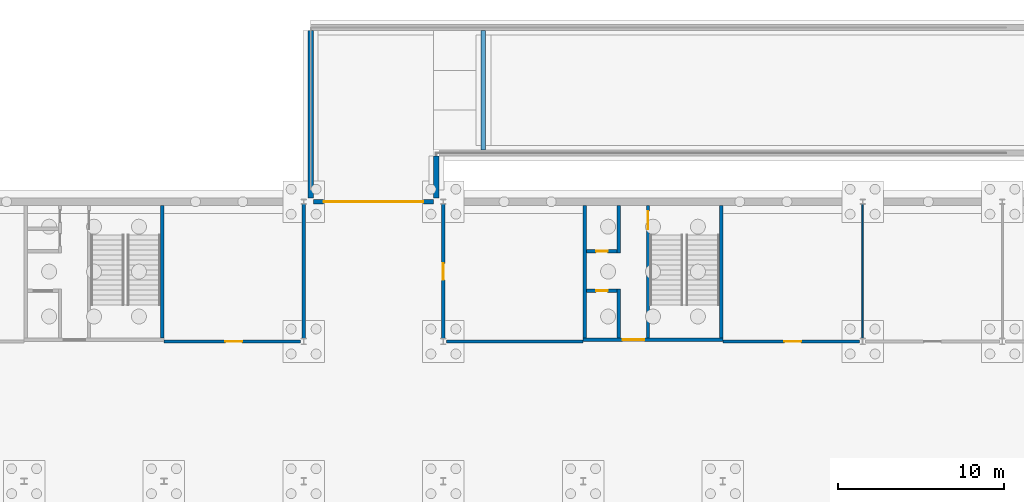
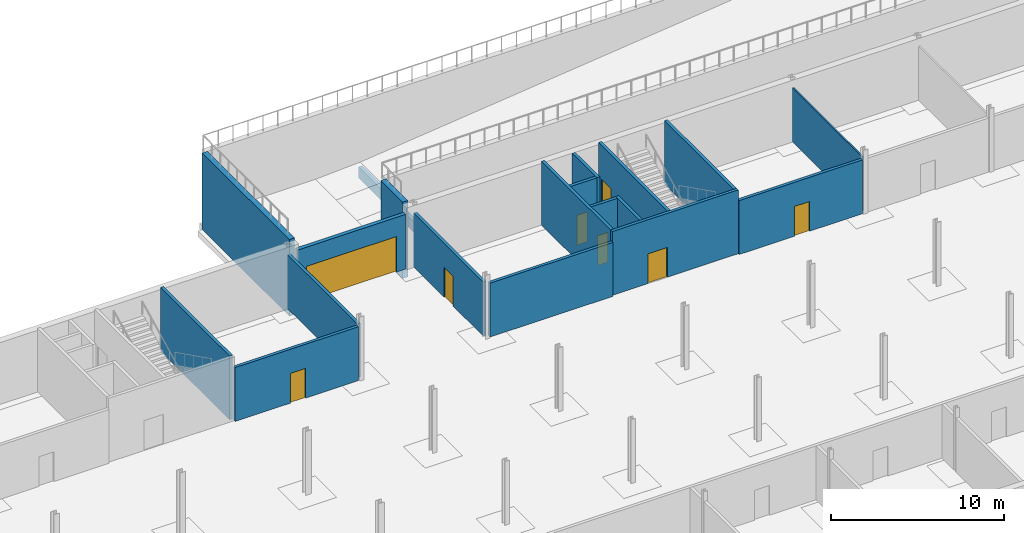
# One storey, part 27 of 35: 19 walls, 8 doors, 8 openings.
"""IFC4 building model written with IfcOpenShell, lengths in metres."""

from ifc_helpers import new_model, si_unit, direction, frame, frame_2d, origin, place, context, subcontext, project, spatial, polyline, rectangle, outline, extrude, material, layer, layer_set, type_object, element, fill, save


model = new_model("IFC4")

# Units and contexts
model_context = context("Model", 3, precision=1e-05, world=origin(), true_north=direction((0.0, 1.0)))
body_context = subcontext(model_context, "Body", "Model", "MODEL_VIEW")
ifc_project = project(units=[si_unit("LENGTHUNIT", "METRE"), si_unit("AREAUNIT", "SQUARE_METRE"), si_unit("VOLUMEUNIT", "CUBIC_METRE"), si_unit("PLANEANGLEUNIT", "RADIAN"), si_unit("MASSUNIT", "GRAM", prefix="KILO")], contexts=[model_context])

# Site, building, storey
site_placement = place(None, origin())
site = spatial("IfcSite", under=ifc_project, at=site_placement, CompositionType="ELEMENT")
building_placement = place(site_placement, origin())
building = spatial("IfcBuilding", under=site, at=building_placement, Name="Ardhachandra Cancer Care Centre", CompositionType="ELEMENT")
storey_placement = place(building_placement, frame((0.0, 0.0, -4.5)))
storey = spatial("IfcBuildingStorey", under=building, at=storey_placement, Name="B1", CompositionType="ELEMENT", Elevation=-4.5)

# Wall, opening, door
ifc_material_1 = material(Name="Gypsum board corridor partition on steel studs", Category="steel")
ifc_layer_1 = layer(ifc_material_1, 0.199951171875)
ifc_layer_set_1 = layer_set([ifc_layer_1], Name="Gypsum board corridor partition on steel studs")
wall_type_1 = type_object("IfcWallType", Name="CORRIDOR WALL 200", PredefinedType="PARTITIONING", material=ifc_layer_set_1)
wall_1_placement = place(storey_placement, frame((44.39990234375, 88.199951171875, 0.0), z_axis=(0.0, 0.0, 1.0), x_axis=(1.0, 0.0, 0.0)))
wall_1 = element("IfcWall", 1, at=wall_1_placement, inside=storey, type_object=wall_type_1, Name="R/wall/B1/h0088200_0044400", PredefinedType="PARTITIONING", context=body_context, shape_type="SweptSolid", body=[
    extrude(rectangle(XDim=8.22021484375, YDim=0.199951171875, at=frame_2d((4.110107421875, 0.0))), origin(), (0.0, 0.0, 1.0), 3.800048828125),
])
opening_1_placement = place(wall_1_placement, frame((3.699951171875, 0.0, 0.0)))
opening_1 = element("IfcOpeningElement", 2, at=opening_1_placement, cuts=wall_1, Name="Opening B1-0012", PredefinedType="OPENING", context=body_context, shape_type="SweptSolid", body=[
    extrude(rectangle(XDim=1.0, YDim=2.10009765625, at=frame_2d((0.5, 1.050048828125))), frame((0.0, 0.10986328125, 0.0), z_axis=(0.0, -1.0, 0.0), x_axis=(1.0, 0.0, 0.0)), (0.0, 0.0, 1.0), 0.219970703125),
])
ifc_material_2 = material(Name="Timber fire door with smoke seals", Category="wood")
door_type_1 = type_object("IfcDoorType", Name="FIRE DOOR SINGLE 1000x2100 FD30S", OperationType="NOTDEFINED", PredefinedType="DOOR", material=ifc_material_2)
door_1_placement = place(opening_1_placement, origin())
door_1 = element("IfcDoor", 3, at=door_1_placement, inside=storey, type_object=door_type_1, Name="Door B1-0012", OperationType="SINGLE_SWING_RIGHT", OverallHeight=2.10009765625, OverallWidth=1.0, PredefinedType="DOOR", context=body_context, shape_type="SweptSolid", body=[
    extrude(rectangle(XDim=1.0, YDim=2.10009765625, at=frame_2d((0.5, 1.050048828125))), frame((0.0, 0.02490234375, 0.0), z_axis=(0.0, -1.0, 0.0), x_axis=(1.0, 0.0, 0.0)), (0.0, 0.0, 1.0), 0.050048828125),
])
fill(opening_1, door_1)

# Wall
wall_2_placement = place(storey_placement, frame((61.3798828125, 88.199951171875, 0.0), z_axis=(0.0, 0.0, 1.0), x_axis=(1.0, 0.0, 0.0)))
element("IfcWall", 4, at=wall_2_placement, inside=storey, type_object=wall_type_1, Name="R/wall/B1/h0088200_0061380", PredefinedType="PARTITIONING", context=body_context, shape_type="SweptSolid", body=[
    extrude(rectangle(XDim=8.22021484375, YDim=0.199951171875, at=frame_2d((4.110107421875, 0.0))), origin(), (0.0, 0.0, 1.0), 3.800048828125),
])

# Wall, opening, door
wall_3_placement = place(storey_placement, frame((78.0, 88.199951171875, 0.0), z_axis=(0.0, 0.0, 1.0), x_axis=(1.0, 0.0, 0.0)))
wall_3 = element("IfcWall", 5, at=wall_3_placement, inside=storey, type_object=wall_type_1, Name="R/wall/B1/h0088200_0078000", PredefinedType="PARTITIONING", context=body_context, shape_type="SweptSolid", body=[
    extrude(rectangle(XDim=8.219970703125, YDim=0.199951171875, at=frame_2d((4.10986328125, 0.0))), origin(), (0.0, 0.0, 1.0), 3.800048828125),
])
opening_2_placement = place(wall_3_placement, frame((3.699951171875, 0.0, 0.0)))
opening_2 = element("IfcOpeningElement", 6, at=opening_2_placement, cuts=wall_3, Name="Opening B1-0013", PredefinedType="OPENING", context=body_context, shape_type="SweptSolid", body=[
    extrude(rectangle(XDim=1.0, YDim=2.10009765625, at=frame_2d((0.5, 1.050048828125))), frame((0.0, 0.10986328125, 0.0), z_axis=(0.0, -1.0, 0.0), x_axis=(1.0, 0.0, 0.0)), (0.0, 0.0, 1.0), 0.219970703125),
])
door_2_placement = place(opening_2_placement, origin())
door_2 = element("IfcDoor", 7, at=door_2_placement, inside=storey, type_object=door_type_1, Name="Door B1-0013", OperationType="SINGLE_SWING_RIGHT", OverallHeight=2.10009765625, OverallWidth=1.0, PredefinedType="DOOR", context=body_context, shape_type="SweptSolid", body=[
    extrude(rectangle(XDim=1.0, YDim=2.10009765625, at=frame_2d((0.5, 1.050048828125))), frame((0.0, 0.02490234375, 0.0), z_axis=(0.0, -1.0, 0.0), x_axis=(1.0, 0.0, 0.0)), (0.0, 0.0, 1.0), 0.050048828125),
])
fill(opening_2, door_2)

# Wall
wall_4_placement = place(storey_placement, frame((52.800048828125, 88.3798828125, 0.0), z_axis=(0.0, 0.0, 1.0), x_axis=(0.0, 1.0, 0.0)))
element("IfcWall", 8, at=wall_4_placement, inside=storey, type_object=wall_type_1, Name="R/wall/B1/v0052800_0088380", PredefinedType="PARTITIONING", context=body_context, shape_type="SweptSolid", body=[
    extrude(rectangle(XDim=8.070068359375, YDim=0.199951171875, at=frame_2d((4.03515625, 0.0))), origin(), (0.0, 0.0, 1.0), 3.800048828125),
])

# Wall, opening, door
wall_5_placement = place(storey_placement, frame((61.199951171875, 88.3798828125, 0.0), z_axis=(0.0, 0.0, 1.0), x_axis=(0.0, 1.0, 0.0)))
wall_5 = element("IfcWall", 9, at=wall_5_placement, inside=storey, type_object=wall_type_1, Name="R/wall/B1/v0061200_0088380", PredefinedType="PARTITIONING", context=body_context, shape_type="SweptSolid", body=[
    extrude(rectangle(XDim=8.070068359375, YDim=0.199951171875, at=frame_2d((4.03515625, 0.0))), origin(), (0.0, 0.0, 1.0), 3.800048828125),
])
opening_3_placement = place(wall_5_placement, frame((3.52001953125, 0.0, 0.0)))
opening_3 = element("IfcOpeningElement", 10, at=opening_3_placement, cuts=wall_5, Name="Opening B1-0017", PredefinedType="OPENING", context=body_context, shape_type="SweptSolid", body=[
    extrude(rectangle(XDim=1.0, YDim=2.10009765625, at=frame_2d((0.5, 1.050048828125))), frame((0.0, 0.10986328125, 0.0), z_axis=(0.0, -1.0, 0.0), x_axis=(1.0, 0.0, 0.0)), (0.0, 0.0, 1.0), 0.219970703125),
])
door_3_placement = place(opening_3_placement, origin())
door_3 = element("IfcDoor", 11, at=door_3_placement, inside=storey, type_object=door_type_1, Name="Door B1-0017", OperationType="SINGLE_SWING_RIGHT", OverallHeight=2.10009765625, OverallWidth=1.0, PredefinedType="DOOR", context=body_context, shape_type="SweptSolid", body=[
    extrude(rectangle(XDim=1.0, YDim=2.10009765625, at=frame_2d((0.5, 1.050048828125))), frame((0.0, 0.02490234375, 0.0), z_axis=(0.0, -1.0, 0.0), x_axis=(1.0, 0.0, 0.0)), (0.0, 0.0, 1.0), 0.050048828125),
])
fill(opening_3, door_3)

# Wall
ifc_material_3 = material(Name="Concrete M40", Category="concrete")
ifc_layer_2 = layer(ifc_material_3, 0.199951171875)
ifc_layer_set_2 = layer_set([ifc_layer_2], Name="Concrete M40")
wall_type_2 = type_object("IfcWallType", Name="Core wall RC 200", PredefinedType="SOLIDWALL", material=ifc_layer_set_2)
wall_6_placement = place(storey_placement, frame((44.300048828125, 88.39990234375, 0.0), z_axis=(0.0, 0.0, 1.0), x_axis=(0.0, 1.0, 0.0)))
element("IfcWall", 12, at=wall_6_placement, inside=storey, type_object=wall_type_2, Name="Core wall K5 UW", PredefinedType="SOLIDWALL", context=body_context, shape_type="SweptSolid", body=[
    extrude(rectangle(XDim=7.97509765625, YDim=0.199951171875, at=frame_2d((3.987548828125, 0.0))), origin(), (0.0, 0.0, 1.0), 4.5),
])

# Wall, opening, door
wall_7_placement = place(storey_placement, frame((78.0, 88.300048828125, 0.0), z_axis=(0.0, 0.0, 1.0), x_axis=(-1.0, 0.0, 0.0)))
wall_7 = element("IfcWall", 13, at=wall_7_placement, inside=storey, type_object=wall_type_2, Name="Core wall K8 ENT", PredefinedType="SOLIDWALL", context=body_context, shape_type="SweptSolid", body=[
    extrude(rectangle(XDim=8.39990234375, YDim=0.199951171875, at=frame_2d((4.199951171875, 0.0))), origin(), (0.0, 0.0, 1.0), 4.5),
])
opening_4_placement = place(wall_7_placement, frame((4.72509765625, 0.0, 0.0)))
opening_4 = element("IfcOpeningElement", 14, at=opening_4_placement, cuts=wall_7, Name="Opening B1-K08-1", PredefinedType="OPENING", context=body_context, shape_type="SweptSolid", body=[
    extrude(rectangle(XDim=1.300048828125, YDim=2.10009765625, at=frame_2d((0.64990234375, 1.050048828125))), frame((0.0, 0.10986328125, 0.0), z_axis=(0.0, -1.0, 0.0), x_axis=(1.0, 0.0, 0.0)), (0.0, 0.0, 1.0), 0.219970703125),
])
ifc_material_4 = material(Name="Steel door set", Category="steel")
door_type_2 = type_object("IfcDoorType", Name="Core entry double door 1300x2100 FD60", OperationType="DOUBLE_DOOR_DOUBLE_SWING", PredefinedType="DOOR", material=ifc_material_4)
door_4_placement = place(opening_4_placement, origin())
door_4 = element("IfcDoor", 15, at=door_4_placement, inside=storey, type_object=door_type_2, Name="Core entry door", OperationType="DOUBLE_DOOR_DOUBLE_SWING", OverallHeight=2.10009765625, OverallWidth=1.300048828125, PredefinedType="DOOR", context=body_context, shape_type="SweptSolid", body=[
    extrude(rectangle(XDim=1.300048828125, YDim=2.10009765625, at=frame_2d((0.64990234375, 1.050048828125))), frame((0.0, 0.02490234375, 0.0), z_axis=(0.0, -1.0, 0.0), x_axis=(1.0, 0.0, 0.0)), (0.0, 0.0, 1.0), 0.050048828125),
])
fill(opening_4, door_4)

# Walls
for number, where, z_axis, x_axis, name in (
    (16, (77.89990234375, 88.39990234375, 0.0), (0.0, 0.0, 1.0), (0.0, 1.0, 0.0), "Core wall K8 UW"),
    (17, (69.699951171875, 88.39990234375, 0.0), (0.0, 0.0, 1.0), (0.0, 1.0, 0.0), "Core wall K8 UE"),
):
    element("IfcWall", number, at=place(storey_placement, frame(where, z_axis=z_axis, x_axis=x_axis)), inside=storey, type_object=wall_type_2, Name=name, PredefinedType="SOLIDWALL", context=body_context, shape_type="SweptSolid", body=[
        extrude(rectangle(XDim=7.97509765625, YDim=0.199951171875, at=frame_2d((3.987548828125, 0.0))), origin(), (0.0, 0.0, 1.0), 4.5),
    ])

# Wall, opening, door
wall_8_placement = place(storey_placement, frame((73.5, 88.39990234375, 0.0), z_axis=(0.0, 0.0, 1.0), x_axis=(0.0, 1.0, 0.0)))
wall_8 = element("IfcWall", 18, at=wall_8_placement, inside=storey, type_object=wall_type_2, Name="Core wall K8 P1", PredefinedType="SOLIDWALL", context=body_context, shape_type="SweptSolid", body=[
    extrude(rectangle(XDim=7.97509765625, YDim=0.199951171875, at=frame_2d((3.987548828125, 0.0))), origin(), (0.0, 0.0, 1.0), 4.5),
])
opening_5_placement = place(wall_8_placement, frame((6.53759765625, 0.0, 0.0)))
opening_5 = element("IfcOpeningElement", 19, at=opening_5_placement, cuts=wall_8, Name="Opening B1-K08-2", PredefinedType="OPENING", context=body_context, shape_type="SweptSolid", body=[
    extrude(rectangle(XDim=1.10009765625, YDim=2.10009765625, at=frame_2d((0.550048828125, 1.050048828125))), frame((0.0, 0.10986328125, 0.0), z_axis=(0.0, -1.0, 0.0), x_axis=(1.0, 0.0, 0.0)), (0.0, 0.0, 1.0), 0.219970703125),
])
ifc_material_5 = material(Name="Steel door set", Category="steel")
door_type_3 = type_object("IfcDoorType", Name="Stair door 1100x2100 FD60S", OperationType="NOTDEFINED", PredefinedType="DOOR", material=ifc_material_5)
door_5_placement = place(opening_5_placement, origin())
door_5 = element("IfcDoor", 20, at=door_5_placement, inside=storey, type_object=door_type_3, Name="Stair door", OperationType="SINGLE_SWING_LEFT", OverallHeight=2.10009765625, OverallWidth=1.10009765625, PredefinedType="DOOR", context=body_context, shape_type="SweptSolid", body=[
    extrude(rectangle(XDim=1.10009765625, YDim=2.10009765625, at=frame_2d((0.550048828125, 1.050048828125))), frame((0.0, 0.02490234375, 0.0), z_axis=(0.0, -1.0, 0.0), x_axis=(1.0, 0.0, 0.0)), (0.0, 0.0, 1.0), 0.050048828125),
])
fill(opening_5, door_5)

# Walls
wall_9_placement = place(storey_placement, frame((71.75, 88.39990234375, 0.0), z_axis=(0.0, 0.0, 1.0), x_axis=(0.0, 1.0, 0.0)))
element("IfcWall", 21, at=wall_9_placement, inside=storey, type_object=wall_type_2, Name="Core wall K8 P2A", PredefinedType="SOLIDWALL", context=body_context, shape_type="SweptSolid", body=[
    extrude(rectangle(XDim=2.9501953125, YDim=0.199951171875, at=frame_2d((1.47509765625, 0.0))), origin(), (0.0, 0.0, 1.0), 4.35009765625),
])
wall_10_placement = place(storey_placement, frame((71.75, 93.52490234375, 0.0), z_axis=(0.0, 0.0, 1.0), x_axis=(0.0, 1.0, 0.0)))
element("IfcWall", 22, at=wall_10_placement, inside=storey, type_object=wall_type_2, Name="Core wall K8 P2B", PredefinedType="SOLIDWALL", context=body_context, shape_type="SweptSolid", body=[
    extrude(rectangle(XDim=2.85009765625, YDim=0.199951171875, at=frame_2d((1.425048828125, 0.0))), origin(), (0.0, 0.0, 1.0), 4.35009765625),
])

# Wall, opening, door
wall_11_placement = place(storey_placement, frame((71.64990234375, 91.25, 0.0), z_axis=(0.0, 0.0, 1.0), x_axis=(-1.0, 0.0, 0.0)))
wall_11 = element("IfcWall", 23, at=wall_11_placement, inside=storey, type_object=wall_type_2, Name="Core wall K8 W1", PredefinedType="SOLIDWALL", context=body_context, shape_type="SweptSolid", body=[
    extrude(rectangle(XDim=1.849853515625, YDim=0.199951171875, at=frame_2d((0.9248046875, 0.0))), origin(), (0.0, 0.0, 1.0), 4.35009765625),
])
opening_6_placement = place(wall_11_placement, frame((0.574951171875, 0.0, 0.0)))
opening_6 = element("IfcOpeningElement", 24, at=opening_6_placement, cuts=wall_11, Name="Opening B1-K08-3", PredefinedType="OPENING", context=body_context, shape_type="SweptSolid", body=[
    extrude(rectangle(XDim=0.699951171875, YDim=2.10009765625, at=frame_2d((0.35009765625, 1.050048828125))), frame((0.0, 0.10986328125, 0.0), z_axis=(0.0, -1.0, 0.0), x_axis=(1.0, 0.0, 0.0)), (0.0, 0.0, 1.0), 0.219970703125),
])
ifc_material_6 = material(Name="Steel door set", Category="steel")
door_type_4 = type_object("IfcDoorType", Name="Riser access door 700x2100 FD120S", OperationType="NOTDEFINED", PredefinedType="DOOR", material=ifc_material_6)
door_6_placement = place(opening_6_placement, origin())
door_6 = element("IfcDoor", 25, at=door_6_placement, inside=storey, type_object=door_type_4, Name="Riser access door", OperationType="SINGLE_SWING_RIGHT", OverallHeight=2.10009765625, OverallWidth=0.699951171875, PredefinedType="DOOR", context=body_context, shape_type="SweptSolid", body=[
    extrude(rectangle(XDim=0.699951171875, YDim=2.10009765625, at=frame_2d((0.35009765625, 1.050048828125))), frame((0.0, 0.02490234375, 0.0), z_axis=(0.0, -1.0, 0.0), x_axis=(1.0, 0.0, 0.0)), (0.0, 0.0, 1.0), 0.050048828125),
])
fill(opening_6, door_6)

wall_12_placement = place(storey_placement, frame((71.64990234375, 93.625, 0.0), z_axis=(0.0, 0.0, 1.0), x_axis=(-1.0, 0.0, 0.0)))
wall_12 = element("IfcWall", 26, at=wall_12_placement, inside=storey, type_object=wall_type_2, Name="Core wall K8 W2", PredefinedType="SOLIDWALL", context=body_context, shape_type="SweptSolid", body=[
    extrude(rectangle(XDim=1.849853515625, YDim=0.199951171875, at=frame_2d((0.9248046875, 0.0))), origin(), (0.0, 0.0, 1.0), 4.35009765625),
])
opening_7_placement = place(wall_12_placement, frame((0.574951171875, 0.0, 0.0)))
opening_7 = element("IfcOpeningElement", 27, at=opening_7_placement, cuts=wall_12, Name="Opening B1-K08-4", PredefinedType="OPENING", context=body_context, shape_type="SweptSolid", body=[
    extrude(rectangle(XDim=0.699951171875, YDim=2.10009765625, at=frame_2d((0.35009765625, 1.050048828125))), frame((0.0, 0.10986328125, 0.0), z_axis=(0.0, -1.0, 0.0), x_axis=(1.0, 0.0, 0.0)), (0.0, 0.0, 1.0), 0.219970703125),
])
door_7_placement = place(opening_7_placement, origin())
door_7 = element("IfcDoor", 28, at=door_7_placement, inside=storey, type_object=door_type_4, Name="Riser access door", OperationType="SINGLE_SWING_RIGHT", OverallHeight=2.10009765625, OverallWidth=0.699951171875, PredefinedType="DOOR", context=body_context, shape_type="SweptSolid", body=[
    extrude(rectangle(XDim=0.699951171875, YDim=2.10009765625, at=frame_2d((0.35009765625, 1.050048828125))), frame((0.0, 0.02490234375, 0.0), z_axis=(0.0, -1.0, 0.0), x_axis=(1.0, 0.0, 0.0)), (0.0, 0.0, 1.0), 0.050048828125),
])
fill(opening_7, door_7)

ifc_material_7 = material(Name="Concrete M40", Category="concrete")
ifc_layer_3 = layer(ifc_material_7, 0.25)
ifc_layer_set_3 = layer_set([ifc_layer_3], Name="Concrete M40")
wall_type_3 = type_object("IfcWallType", Name="Ramp gate infill wall RC 250", PredefinedType="SOLIDWALL", material=ifc_layer_set_3)
wall_13_placement = place(storey_placement, frame((53.39990234375, 96.60009765625, 0.0), z_axis=(0.0, 0.0, 1.0), x_axis=(1.0, 0.0, 0.0)))
wall_13 = element("IfcWall", 29, at=wall_13_placement, inside=storey, type_object=wall_type_3, Name="Ramp gate infill wall", PredefinedType="SOLIDWALL", context=body_context, shape_type="SweptSolid", body=[
    extrude(outline(polyline([(0.0, 0.0), (7.199951171875, 0.0), (7.199951171875, 3.85009765625), (0.0, 3.85009765625), (0.0, 0.0)])), frame((0.0, 0.125, 0.0), z_axis=(0.0, -1.0, 0.0), x_axis=(1.0, 0.0, 0.0)), (0.0, 0.0, 1.0), 0.25),
])
opening_8_placement = place(wall_13_placement, frame((0.60009765625, 0.0, 0.0)))
opening_8 = element("IfcOpeningElement", 30, at=opening_8_placement, cuts=wall_13, Name="Opening B1-KR-1", PredefinedType="OPENING", context=body_context, shape_type="SweptSolid", body=[
    extrude(rectangle(XDim=6.0, YDim=2.5, at=frame_2d((3.0, 1.25))), frame((0.0, 0.135009765625, 0.0), z_axis=(0.0, -1.0, 0.0), x_axis=(1.0, 0.0, 0.0)), (0.0, 0.0, 1.0), 0.27001953125),
])
ifc_material_8 = material(Name="Steel door set", Category="steel")
door_type_5 = type_object("IfcDoorType", Name="Vehicle gate 6000x2500", OperationType="DOUBLE_DOOR_SLIDING", PredefinedType="DOOR", material=ifc_material_8)
door_8_placement = place(opening_8_placement, origin())
door_8 = element("IfcDoor", 31, at=door_8_placement, inside=storey, type_object=door_type_5, Name="KD9", OperationType="DOUBLE_DOOR_SLIDING", OverallHeight=2.5, OverallWidth=6.0, PredefinedType="DOOR", context=body_context, shape_type="SweptSolid", body=[
    extrude(rectangle(XDim=6.0, YDim=2.5, at=frame_2d((3.0, 1.25))), frame((0.0, 0.02490234375, 0.0), z_axis=(0.0, -1.0, 0.0), x_axis=(1.0, 0.0, 0.0)), (0.0, 0.0, 1.0), 0.050048828125),
])
fill(opening_8, door_8)

# Walls
ifc_material_9 = material(Name="Concrete M40", Category="concrete")
ifc_layer_4 = layer(ifc_material_9, 0.35009765625)
ifc_layer_set_4 = layer_set([ifc_layer_4], Name="Concrete M40")
wall_type_4 = type_object("IfcWallType", Name="Ramp retaining wall RC 350", PredefinedType="SOLIDWALL", material=ifc_layer_set_4)
wall_14_placement = place(storey_placement, frame((60.77490234375, 96.824951171875, -0.89990234375), z_axis=(0.0, 0.0, 1.0), x_axis=(0.0, 1.0, 0.0)))
element("IfcWall", 32, at=wall_14_placement, inside=storey, type_object=wall_type_4, Name="Ramp bay wall east", PredefinedType="SOLIDWALL", context=body_context, shape_type="SweptSolid", body=[
    extrude(outline(polyline([(0.0, 0.0), (2.52490234375, 0.0), (2.52490234375, 5.39990234375), (0.0, 5.39990234375), (0.0, 0.0)])), frame((0.0, 0.175048828125, 0.0), z_axis=(0.0, -1.0, 0.0), x_axis=(1.0, 0.0, 0.0)), (0.0, 0.0, 1.0), 0.35009765625),
])
wall_15_placement = place(storey_placement, frame((53.22509765625, 96.824951171875, -0.89990234375), z_axis=(0.0, 0.0, 1.0), x_axis=(0.0, 1.0, 0.0)))
element("IfcWall", 33, at=wall_15_placement, inside=storey, type_object=wall_type_4, Name="Ramp bay wall west", PredefinedType="SOLIDWALL", context=body_context, shape_type="SweptSolid", body=[
    extrude(outline(polyline([(0.0, 0.0), (10.074951171875, 0.0), (10.074951171875, 5.39990234375), (0.0, 5.39990234375), (0.0, 0.0)])), frame((0.0, 0.175048828125, 0.0), z_axis=(0.0, -1.0, 0.0), x_axis=(1.0, 0.0, 0.0)), (0.0, 0.0, 1.0), 0.35009765625),
])
wall_16_placement = place(storey_placement, frame((63.60009765625, 99.699951171875, -0.89990234375), z_axis=(0.0, 0.0, 1.0), x_axis=(0.0, 1.0, 0.0)))
element("IfcWall", 34, at=wall_16_placement, inside=storey, type_object=wall_type_4, Name="Ramp bearing wall bottom", PredefinedType="SOLIDWALL", context=body_context, shape_type="SweptSolid", body=[
    extrude(rectangle(XDim=7.199951171875, YDim=0.25, at=frame_2d((3.60009765625, 0.0))), origin(), (0.0, 0.0, 1.0), 0.76708984375),
])
ifc_material_10 = material(Name="Concrete block masonry", Category="masonry")
ifc_layer_5 = layer(ifc_material_10, 0.10009765625)
ifc_layer_set_5 = layer_set([ifc_layer_5], Name="Concrete block masonry")
wall_type_5 = type_object("IfcWallType", Name="STORE PARTITION 100", PredefinedType="SOLIDWALL", material=ifc_layer_set_5)
wall_17_placement = place(storey_placement, frame((86.39990234375, 88.3798828125, 0.0), z_axis=(0.0, 0.0, 1.0), x_axis=(0.0, 1.0, 0.0)))
element("IfcWall", 35, at=wall_17_placement, inside=storey, type_object=wall_type_5, Name="R/wall/B1/v0086400_0088380", PredefinedType="SOLIDWALL", context=body_context, shape_type="SweptSolid", body=[
    extrude(rectangle(XDim=8.070068359375, YDim=0.10009765625, at=frame_2d((4.03515625, 0.0))), origin(), (0.0, 0.0, 1.0), 3.800048828125),
])

save(model, "model.ifc")
